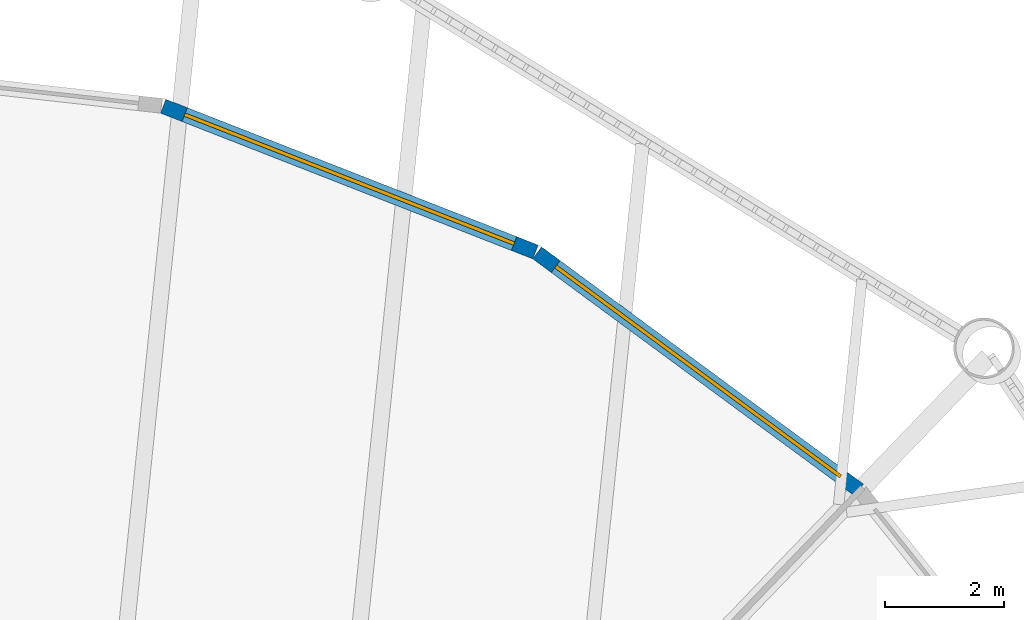
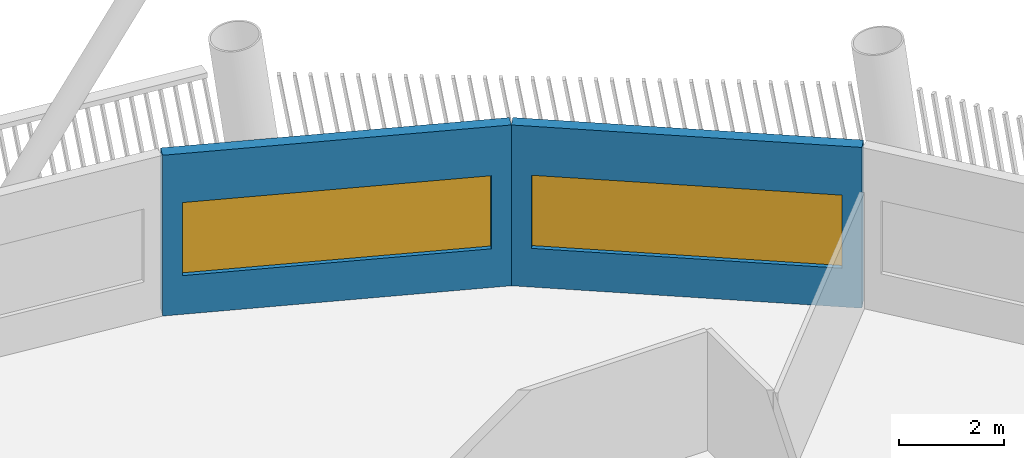
# One storey, part 7 of 22: 2 walls, 2 windows, 2 openings.
"""IFC4 building model written with IfcOpenShell, lengths in metres."""

import ifcopenshell
import ifcopenshell.guid

model = None  # the IFC model being written
_history = None  # IfcOwnerHistory: only IFC2X3 demands one
_inside = {}  # id of a spatial element -> (the spatial element, [elements in it])
_under = {}  # id of a project, library or spatial element -> (it, [spatial elements below it])
_declared = {}  # id of a project -> (the project, [libraries it declares])
_typed = {}  # id of a type object -> (the type object, [elements of that type])
_made_of = {}  # id of a material, layer set ... -> (it, [elements and type objects made of it])


def new_model(schema):
    """Start an empty IFC model of exactly this schema.

    Asked for "IFC4X3", IfcOpenShell would pick the latest addendum, in which some entities
    have other attributes; the version numbers below select the first issue.
    IFC2X3 requires an IfcOwnerHistory on every rooted entity: one is made here for all.
    """
    global model, _history
    if schema == "IFC4X3":
        model = ifcopenshell.file(schema_version=(4, 3, 0, 0))
    else:
        model = ifcopenshell.file(schema=schema)
    _inside.clear()
    _under.clear()
    _declared.clear()
    _typed.clear()
    _made_of.clear()
    _history = None
    if model.schema == "IFC2X3":
        org = make("IfcOrganization", Name="unknown")
        user = make(
            "IfcPersonAndOrganization",
            ThePerson=make("IfcPerson", FamilyName="unknown"),
            TheOrganization=org,
        )
        app = make(
            "IfcApplication",
            ApplicationDeveloper=org,
            Version="unknown",
            ApplicationFullName="unknown",
            ApplicationIdentifier="unknown",
        )
        _history = make(
            "IfcOwnerHistory",
            OwningUser=user,
            OwningApplication=app,
            ChangeAction="ADDED",
            CreationDate=0,
        )
    return model


def make(cls, **values):
    """One entity of the class cls with the attributes given. An attribute that is None is left unset."""
    return model.create_entity(
        cls, **{name: value for name, value in values.items() if value is not None}
    )


def rooted(cls, **values):
    """An entity with a GlobalId (a new one), such as an element, a storey or a relation."""
    return make(cls, GlobalId=ifcopenshell.guid.new(), OwnerHistory=_history, **values)


def si_unit(unit_type, name, prefix=None):
    """IfcSIUnit, for example si_unit("LENGTHUNIT", "METRE", prefix="MILLI")."""
    return make("IfcSIUnit", UnitType=unit_type, Prefix=prefix, Name=name)


def assignment(units):
    """IfcUnitAssignment: the units of a project."""
    return None if units is None else make("IfcUnitAssignment", Units=units)


def point(xyz):
    """IfcCartesianPoint."""
    return None if xyz is None else make("IfcCartesianPoint", Coordinates=xyz)


def direction(xyz):
    """IfcDirection."""
    return None if xyz is None else make("IfcDirection", DirectionRatios=xyz)


def frame(location, z_axis=None, x_axis=None):
    """IfcAxis2Placement3D, a coordinate frame: its origin and axes. An axis left out is left unset."""
    return make(
        "IfcAxis2Placement3D",
        Location=point(location),
        Axis=direction(z_axis),
        RefDirection=direction(x_axis),
    )


def frame_2d(location, x_axis=None):
    """IfcAxis2Placement2D, a coordinate frame in the plane: its origin and x axis."""
    return make(
        "IfcAxis2Placement2D", Location=point(location), RefDirection=direction(x_axis)
    )


def origin():
    """The frame at (0, 0, 0) with its axes left unset."""
    return frame((0.0, 0.0, 0.0))


def place(relative_to, where):
    """IfcLocalPlacement: puts the frame where relative to a parent placement (None: the world)."""
    return make(
        "IfcLocalPlacement", PlacementRelTo=relative_to, RelativePlacement=where
    )


def context(
    kind, dimensions, precision=None, world=None, true_north=None, identifier=None
):
    """IfcGeometricRepresentationContext, for example the 3D "Model" context."""
    return make(
        "IfcGeometricRepresentationContext",
        ContextIdentifier=identifier,
        ContextType=kind,
        CoordinateSpaceDimension=dimensions,
        Precision=precision,
        WorldCoordinateSystem=world,
        TrueNorth=true_north,
    )


def subcontext(parent, identifier, kind, view, scale=None):
    """IfcGeometricRepresentationSubContext, for example "Body" below "Model"."""
    return make(
        "IfcGeometricRepresentationSubContext",
        ContextIdentifier=identifier,
        ContextType=kind,
        ParentContext=parent,
        TargetScale=scale,
        TargetView=view,
    )


def project(units=None, contexts=None):
    """IfcProject with its units and contexts."""
    return rooted(
        "IfcProject",
        Name="project",
        RepresentationContexts=contexts,
        UnitsInContext=assignment(units),
    )


def spatial(cls, under=None, at=None, **own):
    """A site, building, storey or space (cls), placed at a placement, below another one or the project."""
    s = rooted(cls, ObjectPlacement=at, **own)
    if under is not None:
        _under.setdefault(under.id(), (under, []))[1].append(s)
    return s


def profile(cls, at=None, kind="AREA", **sizes):
    """A parametric profile (cls). Its sizes go by their IFC names, for example OverallWidth=200.0."""
    return make(cls, ProfileType=kind, Position=at, **sizes)


def rectangle(**sizes):
    """IfcRectangleProfileDef."""
    return profile("IfcRectangleProfileDef", **sizes)


def extrude(swept, where, along, depth):
    """IfcExtrudedAreaSolid: the profile swept, set in the frame where, extruded along a direction by depth."""
    return make(
        "IfcExtrudedAreaSolid",
        SweptArea=swept,
        Position=where,
        ExtrudedDirection=direction(along),
        Depth=depth,
    )


def shape(context_of_items, identifier, shape_type, items):
    """IfcShapeRepresentation: the items that make up one representation, for example the "Body"."""
    return make(
        "IfcShapeRepresentation",
        ContextOfItems=context_of_items,
        RepresentationIdentifier=identifier,
        RepresentationType=shape_type,
        Items=items,
    )


def material(Name=None, Category=None):
    """IfcMaterial."""
    return make("IfcMaterial", Name=Name, Category=Category)


def layer(
    of_material, thickness, ventilated=None, Name=None, Category=None, Priority=None
):
    """IfcMaterialLayer: one layer of a wall or slab, of a material (None: an air gap)."""
    return make(
        "IfcMaterialLayer",
        Material=of_material,
        LayerThickness=thickness,
        IsVentilated=ventilated,
        Name=Name,
        Category=Category,
        Priority=Priority,
    )


def layer_set(layers, Name=None):
    """IfcMaterialLayerSet."""
    return make("IfcMaterialLayerSet", MaterialLayers=layers, LayerSetName=Name)


def made_of(thing, what):
    """Note that an element or type object is made of a material, layer set ...; save() writes the relation."""
    if what is not None:
        _made_of.setdefault(what.id(), (what, []))[1].append(thing)
    return thing


def type_object(cls, material=None, **own):
    """A type object (cls), such as IfcWallType, which elements share."""
    return made_of(rooted(cls, **own), material)


def element(
    cls,
    number,
    at=None,
    inside=None,
    cuts=None,
    type_object=None,
    material=None,
    context=None,
    identifier="Body",
    shape_type=None,
    held_by="IfcProductDefinitionShape",
    body=None,
    shapes=None,
    **own,
):
    """One element of the class cls, such as IfcWall. Its Tag is "e" and its number.

    at: its placement. inside: the storey or other place that contains it. cuts: it is an
    opening in that element (IfcRelVoidsElement). A single representation is given by context,
    identifier, shape_type and body (its items); several are given by shapes. held_by: the class
    of the entity that holds the representations. save() writes the other relations.
    """
    e = rooted(cls, Tag="e%d" % number, ObjectPlacement=at, **own)
    if body is not None:
        shapes = [shape(context, identifier, shape_type, body)]
    if shapes is not None:
        e.Representation = make(held_by, Representations=shapes)
    if inside is not None:
        _inside.setdefault(inside.id(), (inside, []))[1].append(e)
    if cuts is not None:
        rooted(
            "IfcRelVoidsElement", RelatingBuildingElement=cuts, RelatedOpeningElement=e
        )
    if type_object is not None:
        _typed.setdefault(type_object.id(), (type_object, []))[1].append(e)
    return made_of(e, material)


def fill(opening, filler):
    """IfcRelFillsElement: the door or window that sits in an opening."""
    return rooted(
        "IfcRelFillsElement",
        RelatingOpeningElement=opening,
        RelatedBuildingElement=filler,
    )


def aggregate(whole, parts):
    """IfcRelAggregates: a whole, such as a stair, and the parts it consists of."""
    return rooted("IfcRelAggregates", RelatingObject=whole, RelatedObjects=parts)


def save(model, path):
    """Write the relations noted so far, then the file.

    IfcRelAggregates (storeys below a building ...), IfcRelContainedInSpatialStructure (elements
    in a storey), IfcRelDefinesByType, IfcRelAssociatesMaterial and IfcRelDeclares: one each for
    every whole, place, type object, material and project.
    """
    for whole, parts in _under.values():
        aggregate(whole, parts)
    for where, things in _inside.values():
        rooted(
            "IfcRelContainedInSpatialStructure",
            RelatedElements=things,
            RelatingStructure=where,
        )
    for kind, things in _typed.values():
        rooted("IfcRelDefinesByType", RelatedObjects=things, RelatingType=kind)
    for what, things in _made_of.values():
        rooted("IfcRelAssociatesMaterial", RelatedObjects=things, RelatingMaterial=what)
    for by, libraries in _declared.values():
        rooted("IfcRelDeclares", RelatingContext=by, RelatedDefinitions=libraries)
    model.write(path)


model = new_model("IFC4")

# Units and contexts
model_context = context("Model", 3, precision=1e-05, world=origin(), true_north=direction((0.0, 1.0)))
body_context = subcontext(model_context, "Body", "Model", "MODEL_VIEW")
ifc_project = project(units=[si_unit("LENGTHUNIT", "METRE"), si_unit("AREAUNIT", "SQUARE_METRE"), si_unit("VOLUMEUNIT", "CUBIC_METRE"), si_unit("PLANEANGLEUNIT", "RADIAN"), si_unit("MASSUNIT", "GRAM", prefix="KILO")], contexts=[model_context])

# Site, building, storey
site_placement = place(None, origin())
site = spatial("IfcSite", under=ifc_project, at=site_placement, CompositionType="ELEMENT")
building_placement = place(site_placement, origin())
building = spatial("IfcBuilding", under=site, at=building_placement, Name="Tarsis Ring Headquarters", CompositionType="ELEMENT")
storey_placement = place(building_placement, frame((0.0, 0.0, 263.0)))
storey = spatial("IfcBuildingStorey", under=building, at=storey_placement, Name="L61", CompositionType="ELEMENT", Elevation=263.0)

# Wall, opening, window
ifc_material_1 = material(Name="Terracotta clad insulated panel wall", Category="masonry")
ifc_layer = layer(ifc_material_1, 0.25)
ifc_layer_set = layer_set([ifc_layer], Name="Facade wall terracotta panel 250")
wall_type = type_object("IfcWallType", Name="Facade wall terracotta panel 250", PredefinedType="STANDARD", material=ifc_layer_set)
wall_1_placement = place(storey_placement, frame((17.92138671875, 18.659423828125, 0.0), z_axis=(0.0, 0.0, 1.0), x_axis=(-0.805105132865, 0.593132131177, 0.0)))
wall_1 = element("IfcWall", 1, at=wall_1_placement, inside=storey, type_object=wall_type, Name="External wall L61-24", PredefinedType="STANDARD", context=body_context, shape_type="SweptSolid", body=[
    extrude(rectangle(XDim=6.7216796875, YDim=0.25, at=frame_2d((3.36083984375, 0.0))), origin(), (0.0, 0.0, 1.0), 3.739990234375),
])
opening_1_placement = place(wall_1_placement, frame((0.3857421875, 0.0, 0.89990234375)))
opening_1 = element("IfcOpeningElement", 2, at=opening_1_placement, cuts=wall_1, Name="Opening WN07", PredefinedType="OPENING", context=body_context, shape_type="SweptSolid", body=[
    extrude(rectangle(XDim=5.949951171875, YDim=1.699951171875, at=frame_2d((2.97509765625, 0.85009765625))), frame((0.0, 0.135009765625, 0.0), z_axis=(0.0, -1.0, 0.0), x_axis=(1.0, 0.0, 0.0)), (0.0, 0.0, 1.0), 0.27001953125),
])
ifc_material_2 = material(Name="Aluminium framed double glazing", Category="aluminium")
window_type = type_object("IfcWindowType", Name="Facade window 5950 x 1700", PartitioningType="SINGLE_PANEL", PredefinedType="WINDOW", material=ifc_material_2)
window_1_placement = place(opening_1_placement, origin())
window_1 = element("IfcWindow", 3, at=window_1_placement, inside=storey, type_object=window_type, Name="Window L61-24.1", OverallHeight=1.699951171875, OverallWidth=5.949951171875, PartitioningType="SINGLE_PANEL", PredefinedType="WINDOW", context=body_context, shape_type="SweptSolid", body=[
    extrude(rectangle(XDim=5.949951171875, YDim=1.699951171875, at=frame_2d((2.97509765625, 0.85009765625))), frame((0.0, 0.030029296875, 0.0), z_axis=(0.0, -1.0, 0.0), x_axis=(1.0, 0.0, 0.0)), (0.0, 0.0, 1.0), 0.06005859375),
])
fill(opening_1, window_1)

wall_2_placement = place(storey_placement, frame((12.481201171875, 22.662109375, 0.0), z_axis=(0.0, 0.0, 1.0), x_axis=(-0.931191860013, 0.3645294499, 0.0)))
wall_2 = element("IfcWall", 4, at=wall_2_placement, inside=storey, type_object=wall_type, Name="External wall L61-25", PredefinedType="STANDARD", context=body_context, shape_type="SweptSolid", body=[
    extrude(rectangle(XDim=6.721435546875, YDim=0.25, at=frame_2d((3.36083984375, 0.0))), origin(), (0.0, 0.0, 1.0), 3.739990234375),
])
opening_2_placement = place(wall_2_placement, frame((0.3857421875, 0.0, 0.89990234375)))
opening_2 = element("IfcOpeningElement", 5, at=opening_2_placement, cuts=wall_2, Name="Opening WN07", PredefinedType="OPENING", context=body_context, shape_type="SweptSolid", body=[
    extrude(rectangle(XDim=5.949951171875, YDim=1.699951171875, at=frame_2d((2.97509765625, 0.85009765625))), frame((0.0, 0.135009765625, 0.0), z_axis=(0.0, -1.0, 0.0), x_axis=(1.0, 0.0, 0.0)), (0.0, 0.0, 1.0), 0.27001953125),
])
window_2_placement = place(opening_2_placement, origin())
window_2 = element("IfcWindow", 6, at=window_2_placement, inside=storey, type_object=window_type, Name="Window L61-25.1", OverallHeight=1.699951171875, OverallWidth=5.949951171875, PartitioningType="SINGLE_PANEL", PredefinedType="WINDOW", context=body_context, shape_type="SweptSolid", body=[
    extrude(rectangle(XDim=5.949951171875, YDim=1.699951171875, at=frame_2d((2.97509765625, 0.85009765625))), frame((0.0, 0.030029296875, 0.0), z_axis=(0.0, -1.0, 0.0), x_axis=(1.0, 0.0, 0.0)), (0.0, 0.0, 1.0), 0.06005859375),
])
fill(opening_2, window_2)

save(model, "model.ifc")
